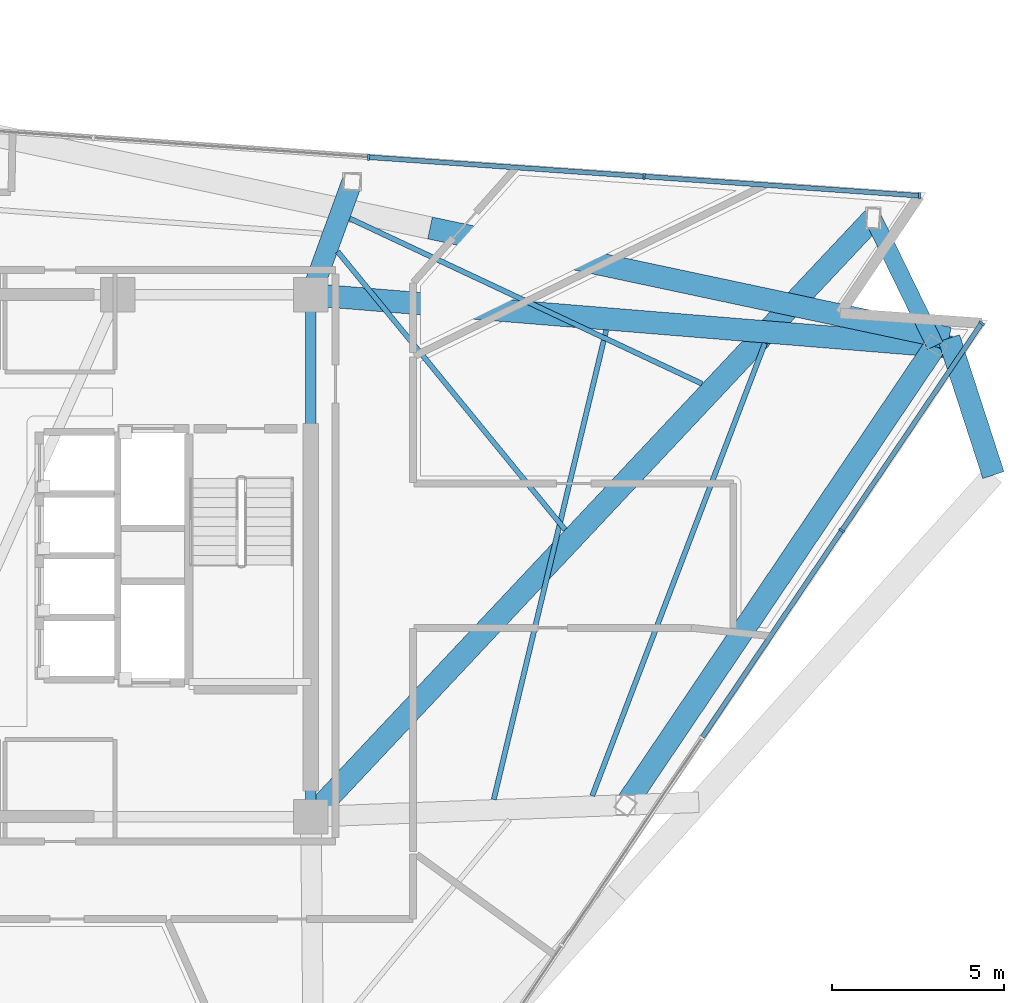
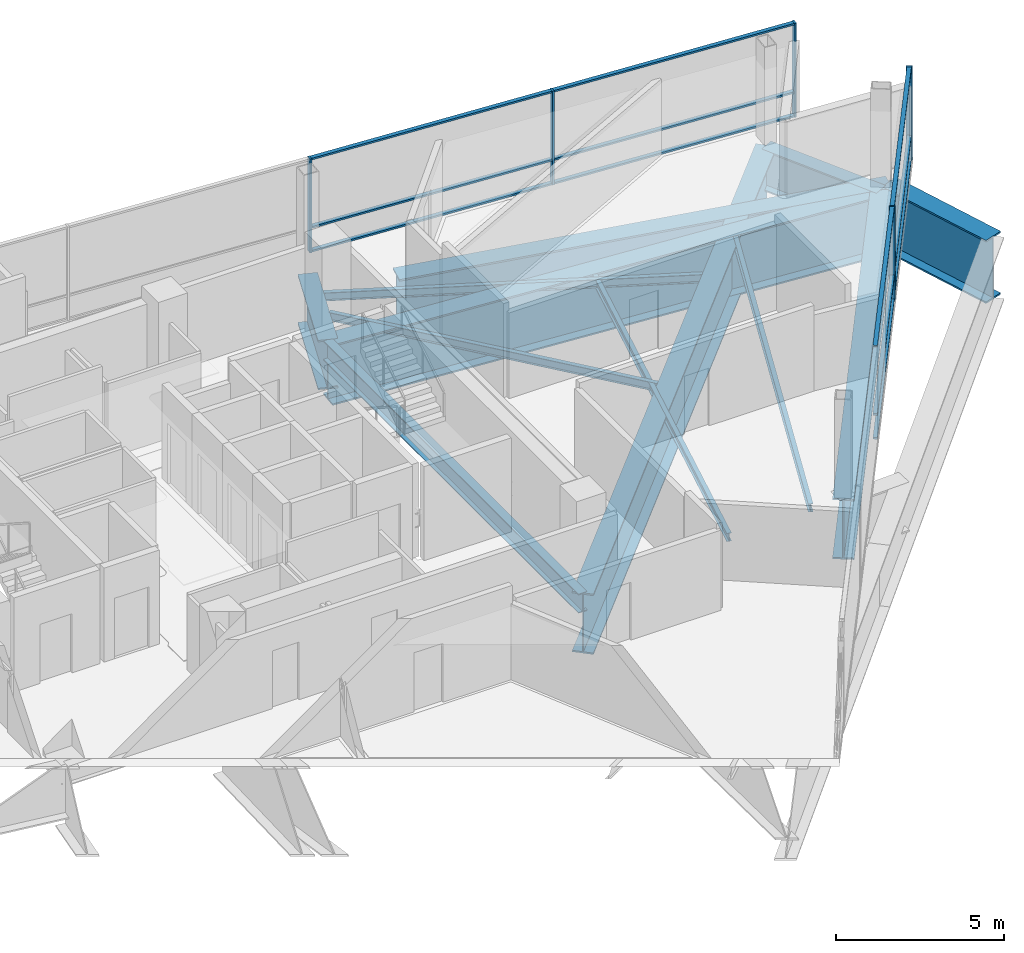
# One storey, part 7 of 14: 17 members, 12 beams, 2 elements without a shape of their own.
"""IFC4 building model written with IfcOpenShell, lengths in metres."""

from ifc_helpers import new_model, si_unit, direction, frame, origin, origin_2d, place, context, subcontext, project, spatial, rectangle, i_section, extrude, material, layer, layer_set, material_profile, profile_set, type_object, element, aggregate, save


model = new_model("IFC4")

# Units and contexts
model_context = context("Model", 3, precision=1e-05, world=origin(), true_north=direction((0.0, 1.0)))
body_context = subcontext(model_context, "Body", "Model", "MODEL_VIEW")
ifc_project = project(units=[si_unit("LENGTHUNIT", "METRE"), si_unit("AREAUNIT", "SQUARE_METRE"), si_unit("VOLUMEUNIT", "CUBIC_METRE"), si_unit("PLANEANGLEUNIT", "RADIAN"), si_unit("MASSUNIT", "GRAM", prefix="KILO")], contexts=[model_context])

# Site, building, storey
site_placement = place(None, origin())
site = spatial("IfcSite", under=ifc_project, at=site_placement, CompositionType="ELEMENT")
building_placement = place(site_placement, origin())
building = spatial("IfcBuilding", under=site, at=building_placement, Name="Tharavind Bronze Gate", CompositionType="ELEMENT")
storey_placement = place(building_placement, frame((0.0, 0.0, 227.050048828125)))
storey = spatial("IfcBuildingStorey", under=building, at=storey_placement, Name="L58", CompositionType="ELEMENT", Elevation=227.050048828125)

# Curtain wall, members
ifc_material_1 = material(Name="Anodised Bronze Aluminium", Category="aluminium")
ifc_layer = layer(ifc_material_1, 0.219970703125)
ifc_layer_set = layer_set([ifc_layer], Name="Anodised Bronze Aluminium")
curtain_wall_type = type_object("IfcCurtainWallType", Name="UNITISED CURTAIN WALL UPPER OFFICE", PredefinedType="USERDEFINED", material=ifc_layer_set)
curtain_wall_1_placement = place(storey_placement, origin())
curtain_wall_1 = element("IfcCurtainWall", 1, at=curtain_wall_1_placement, inside=storey, type_object=curtain_wall_type, Name="L58 unitised curtain wall upper office CW-L58-S2", ObjectType="UNITISED CURTAIN WALL", PredefinedType="USERDEFINED")
member_type_1 = type_object("IfcMemberType", Name="CURTAIN WALL BRONZE MULLION 65X180", PredefinedType="MULLION", material=ifc_material_1)
member_1_placement = place(storey_placement, frame((24.35791015625, 0.732177734375, 0.0), z_axis=(0.0, 0.0, 1.0), x_axis=(0.559192903471, 0.829037572555, 0.0)))
member_1 = element("IfcMember", 2, at=member_1_placement, type_object=member_type_1, Name="CW-L58-S2 mullion 7", PredefinedType="MULLION", context=body_context, shape_type="SweptSolid", body=[
    extrude(rectangle(XDim=0.06494140625, YDim=0.179931640625, at=origin_2d()), origin(), (0.0, 0.0, 1.0), 3.419921875),
])
member_2_placement = place(storey_placement, frame((28.430419921875, 6.77001953125, 0.0), z_axis=(0.0, 0.0, 1.0), x_axis=(0.559192903471, 0.829037572555, 0.0)))
member_2 = element("IfcMember", 3, at=member_2_placement, type_object=member_type_1, Name="CW-L58-S2 mullion 8", PredefinedType="MULLION", context=body_context, shape_type="SweptSolid", body=[
    extrude(rectangle(XDim=0.06494140625, YDim=0.179931640625, at=origin_2d()), origin(), (0.0, 0.0, 1.0), 3.419921875),
])

curtain_wall_2_placement = place(storey_placement, origin())
curtain_wall_2 = element("IfcCurtainWall", 4, at=curtain_wall_2_placement, inside=storey, type_object=curtain_wall_type, Name="L58 unitised curtain wall upper office CW-L58-S3", ObjectType="UNITISED CURTAIN WALL", PredefinedType="USERDEFINED")
member_3_placement = place(storey_placement, frame((26.620849609375, 10.480224609375, 0.0), z_axis=(0.0, 0.0, 1.0), x_axis=(-0.99756392851, 0.069758214822, 0.0)))
member_3 = element("IfcMember", 5, at=member_3_placement, type_object=member_type_1, Name="CW-L58-S3 mullion 1", PredefinedType="MULLION", context=body_context, shape_type="SweptSolid", body=[
    extrude(rectangle(XDim=0.06494140625, YDim=0.179931640625, at=origin_2d()), origin(), (0.0, 0.0, 1.0), 3.419921875),
])
member_4_placement = place(storey_placement, frame((18.602294921875, 11.041015625, 0.0), z_axis=(0.0, 0.0, 1.0), x_axis=(-0.99756392851, 0.069758214822, 0.0)))
member_4 = element("IfcMember", 6, at=member_4_placement, type_object=member_type_1, Name="CW-L58-S3 mullion 2", PredefinedType="MULLION", context=body_context, shape_type="SweptSolid", body=[
    extrude(rectangle(XDim=0.06494140625, YDim=0.179931640625, at=origin_2d()), origin(), (0.0, 0.0, 1.0), 3.419921875),
])
member_5_placement = place(storey_placement, frame((10.583984375, 11.6015625, 0.0), z_axis=(0.0, 0.0, 1.0), x_axis=(-0.99756392851, 0.069758214822, 0.0)))
member_5 = element("IfcMember", 7, at=member_5_placement, type_object=member_type_1, Name="CW-L58-S3 mullion 3", PredefinedType="MULLION", context=body_context, shape_type="SweptSolid", body=[
    extrude(rectangle(XDim=0.06494140625, YDim=0.179931640625, at=origin_2d()), origin(), (0.0, 0.0, 1.0), 3.419921875),
])

# Member
member_type_2 = type_object("IfcMemberType", Name="CURTAIN WALL BRONZE TRANSOM 65X140", PredefinedType="USERDEFINED", material=ifc_material_1)
member_6_placement = place(storey_placement, frame((22.321533203125, -2.28662109375, 0.0), z_axis=(0.0, 0.0, 1.0), x_axis=(0.559192903471, 0.829037572555, 0.0)))
member_6 = element("IfcMember", 8, at=member_6_placement, type_object=member_type_2, Name="CW-L58-S2 transom TB6", ObjectType="TRANSOM", PredefinedType="USERDEFINED", context=body_context, shape_type="SweptSolid", body=[
    extrude(rectangle(XDim=7.22998046875, YDim=0.139892578125, at=origin_2d()), origin(), (0.0, 0.0, 1.0), 0.06494140625),
])

member_7_placement = place(storey_placement, frame((22.321533203125, -2.28662109375, 0.867431640625), z_axis=(0.0, 0.0, 1.0), x_axis=(0.559192903471, 0.829037572555, 0.0)))
member_7 = element("IfcMember", 9, at=member_7_placement, type_object=member_type_2, Name="CW-L58-S2 transom TS6", ObjectType="TRANSOM", PredefinedType="USERDEFINED", context=body_context, shape_type="SweptSolid", body=[
    extrude(rectangle(XDim=7.22998046875, YDim=0.139892578125, at=origin_2d()), origin(), (0.0, 0.0, 1.0), 0.06494140625),
])

member_8_placement = place(storey_placement, frame((22.321533203125, -2.28662109375, 3.35498046875), z_axis=(0.0, 0.0, 1.0), x_axis=(0.559192903471, 0.829037572555, 0.0)))
member_8 = element("IfcMember", 10, at=member_8_placement, type_object=member_type_2, Name="CW-L58-S2 transom TT6", ObjectType="TRANSOM", PredefinedType="USERDEFINED", context=body_context, shape_type="SweptSolid", body=[
    extrude(rectangle(XDim=7.22998046875, YDim=0.139892578125, at=origin_2d()), origin(), (0.0, 0.0, 1.0), 0.06494140625),
])

member_9_placement = place(storey_placement, frame((26.39404296875, 3.751220703125, 0.0), z_axis=(0.0, 0.0, 1.0), x_axis=(0.559192903471, 0.829037572555, 0.0)))
member_9 = element("IfcMember", 11, at=member_9_placement, type_object=member_type_2, Name="CW-L58-S2 transom TB7", ObjectType="TRANSOM", PredefinedType="USERDEFINED", context=body_context, shape_type="SweptSolid", body=[
    extrude(rectangle(XDim=7.22998046875, YDim=0.139892578125, at=origin_2d()), origin(), (0.0, 0.0, 1.0), 0.06494140625),
])

member_10_placement = place(storey_placement, frame((26.39404296875, 3.751220703125, 0.867431640625), z_axis=(0.0, 0.0, 1.0), x_axis=(0.559192903471, 0.829037572555, 0.0)))
member_10 = element("IfcMember", 12, at=member_10_placement, type_object=member_type_2, Name="CW-L58-S2 transom TS7", ObjectType="TRANSOM", PredefinedType="USERDEFINED", context=body_context, shape_type="SweptSolid", body=[
    extrude(rectangle(XDim=7.22998046875, YDim=0.139892578125, at=origin_2d()), origin(), (0.0, 0.0, 1.0), 0.06494140625),
])

member_11_placement = place(storey_placement, frame((26.39404296875, 3.751220703125, 3.35498046875), z_axis=(0.0, 0.0, 1.0), x_axis=(0.559192903471, 0.829037572555, 0.0)))
member_11 = element("IfcMember", 13, at=member_11_placement, type_object=member_type_2, Name="CW-L58-S2 transom TT7", ObjectType="TRANSOM", PredefinedType="USERDEFINED", context=body_context, shape_type="SweptSolid", body=[
    extrude(rectangle(XDim=7.22998046875, YDim=0.139892578125, at=origin_2d()), origin(), (0.0, 0.0, 1.0), 0.06494140625),
])

aggregate(curtain_wall_1, [member_1, member_2, member_6, member_7, member_8, member_9, member_10, member_11])

member_12_placement = place(storey_placement, frame((22.611572265625, 10.760498046875, 0.0), z_axis=(0.0, 0.0, 1.0), x_axis=(-0.99756392851, 0.069758214822, 0.0)))
member_12 = element("IfcMember", 14, at=member_12_placement, type_object=member_type_2, Name="CW-L58-S3 transom TB1", ObjectType="TRANSOM", PredefinedType="USERDEFINED", context=body_context, shape_type="SweptSolid", body=[
    extrude(rectangle(XDim=7.985107421875, YDim=0.139892578125, at=origin_2d()), origin(), (0.0, 0.0, 1.0), 0.06494140625),
])

member_13_placement = place(storey_placement, frame((22.611572265625, 10.760498046875, 0.867431640625), z_axis=(0.0, 0.0, 1.0), x_axis=(-0.99756392851, 0.069758214822, 0.0)))
member_13 = element("IfcMember", 15, at=member_13_placement, type_object=member_type_2, Name="CW-L58-S3 transom TS1", ObjectType="TRANSOM", PredefinedType="USERDEFINED", context=body_context, shape_type="SweptSolid", body=[
    extrude(rectangle(XDim=7.985107421875, YDim=0.139892578125, at=origin_2d()), origin(), (0.0, 0.0, 1.0), 0.06494140625),
])

member_14_placement = place(storey_placement, frame((22.611572265625, 10.760498046875, 3.35498046875), z_axis=(0.0, 0.0, 1.0), x_axis=(-0.99756392851, 0.069758214822, 0.0)))
member_14 = element("IfcMember", 16, at=member_14_placement, type_object=member_type_2, Name="CW-L58-S3 transom TT1", ObjectType="TRANSOM", PredefinedType="USERDEFINED", context=body_context, shape_type="SweptSolid", body=[
    extrude(rectangle(XDim=7.985107421875, YDim=0.139892578125, at=origin_2d()), origin(), (0.0, 0.0, 1.0), 0.06494140625),
])

member_15_placement = place(storey_placement, frame((14.593017578125, 11.3212890625, 0.0), z_axis=(0.0, 0.0, 1.0), x_axis=(-0.99756392851, 0.069758214822, 0.0)))
member_15 = element("IfcMember", 17, at=member_15_placement, type_object=member_type_2, Name="CW-L58-S3 transom TB2", ObjectType="TRANSOM", PredefinedType="USERDEFINED", context=body_context, shape_type="SweptSolid", body=[
    extrude(rectangle(XDim=7.985107421875, YDim=0.139892578125, at=origin_2d()), origin(), (0.0, 0.0, 1.0), 0.06494140625),
])

member_16_placement = place(storey_placement, frame((14.593017578125, 11.3212890625, 0.867431640625), z_axis=(0.0, 0.0, 1.0), x_axis=(-0.99756392851, 0.069758214822, 0.0)))
member_16 = element("IfcMember", 18, at=member_16_placement, type_object=member_type_2, Name="CW-L58-S3 transom TS2", ObjectType="TRANSOM", PredefinedType="USERDEFINED", context=body_context, shape_type="SweptSolid", body=[
    extrude(rectangle(XDim=7.985107421875, YDim=0.139892578125, at=origin_2d()), origin(), (0.0, 0.0, 1.0), 0.06494140625),
])

member_17_placement = place(storey_placement, frame((14.593017578125, 11.3212890625, 3.35498046875), z_axis=(0.0, 0.0, 1.0), x_axis=(-0.99756392851, 0.069758214822, 0.0)))
member_17 = element("IfcMember", 19, at=member_17_placement, type_object=member_type_2, Name="CW-L58-S3 transom TT2", ObjectType="TRANSOM", PredefinedType="USERDEFINED", context=body_context, shape_type="SweptSolid", body=[
    extrude(rectangle(XDim=7.985107421875, YDim=0.139892578125, at=origin_2d()), origin(), (0.0, 0.0, 1.0), 0.06494140625),
])

aggregate(curtain_wall_2, [member_3, member_4, member_5, member_12, member_13, member_14, member_15, member_16, member_17])

# Beams
ifc_material_2 = material(Name="Steel S355", Category="steel")
ifc_material_profile_1 = material_profile(ifc_material_2, i_section(OverallWidth=0.300048828125, OverallDepth=0.699951171875, WebThickness=0.01708984375, FlangeThickness=0.031982421875, at=origin_2d()), Name="HE700B")
ifc_profile_set_1 = profile_set([ifc_material_profile_1], Name="Steel S355")
beam_type_1 = type_object("IfcBeamType", Name="RING GIRDER HE700B", PredefinedType="USERDEFINED", material=ifc_profile_set_1)
beam_1_placement = place(storey_placement, frame((8.89990234375, -7.60009765625, -0.5400390625), z_axis=(0.0, 1.0, 0.0), x_axis=(-1.0, 0.0, 0.0)))
element("IfcBeam", 20, at=beam_1_placement, inside=storey, type_object=beam_type_1, Name="L58 ring girder he700b BM-L58-CR3", ObjectType="GIRDER", PredefinedType="USERDEFINED", context=body_context, shape_type="SweptSolid", body=[
    extrude(i_section(OverallWidth=0.300048828125, OverallDepth=0.699951171875, WebThickness=0.01708984375, FlangeThickness=0.031982421875, at=origin_2d()), origin(), (0.0, 0.0, 1.0), 15.2001953125),
])
ifc_material_profile_2 = material_profile(ifc_material_2, i_section(OverallWidth=0.14990234375, OverallDepth=0.300048828125, WebThickness=0.007080078125, FlangeThickness=0.0107421875, at=origin_2d()), Name="IPE300")
ifc_profile_set_2 = profile_set([ifc_material_profile_2], Name="Steel S355")
beam_type_2 = type_object("IfcBeamType", Name="SECONDARY FLOOR JOIST IPE300", PredefinedType="JOIST", material=ifc_profile_set_2)
beam_2_placement = place(storey_placement, frame((14.226318359375, -7.096923828125, -0.340087890625), z_axis=(0.233018047482, 0.972472410687, 0.0), x_axis=(-0.972472410687, 0.233018047482, 0.0)))
element("IfcBeam", 21, at=beam_2_placement, inside=storey, type_object=beam_type_2, Name="L58 secondary floor joist ipe300 BM-L58-JSTA07", PredefinedType="JOIST", context=body_context, shape_type="SweptSolid", body=[
    extrude(i_section(OverallWidth=0.14990234375, OverallDepth=0.300048828125, WebThickness=0.007080078125, FlangeThickness=0.0107421875, at=origin_2d()), origin(), (0.0, 0.0, 1.0), 14.050048828125),
])
beam_3_placement = place(storey_placement, frame((17.094482421875, -6.989990234375, -0.340087890625), z_axis=(0.356396937276, 0.934334641925, 0.0), x_axis=(-0.934334641925, 0.356396937276, 0.0)))
element("IfcBeam", 22, at=beam_3_placement, inside=storey, type_object=beam_type_2, Name="L58 secondary floor joist ipe300 BM-L58-JSTB07", PredefinedType="JOIST", context=body_context, shape_type="SweptSolid", body=[
    extrude(i_section(OverallWidth=0.14990234375, OverallDepth=0.300048828125, WebThickness=0.007080078125, FlangeThickness=0.0107421875, at=origin_2d()), origin(), (0.0, 0.0, 1.0), 14.104736328125),
])
beam_4_placement = place(storey_placement, frame((16.30322265625, 0.75830078125, -0.340087890625), z_axis=(-0.633141179851, 0.774036334016, 0.0), x_axis=(-0.774036334016, -0.633141179851, 0.0)))
element("IfcBeam", 23, at=beam_4_placement, inside=storey, type_object=beam_type_2, Name="L58 secondary floor joist ipe300 BM-L58-JSTA09", PredefinedType="JOIST", context=body_context, shape_type="SweptSolid", body=[
    extrude(i_section(OverallWidth=0.14990234375, OverallDepth=0.300048828125, WebThickness=0.007080078125, FlangeThickness=0.0107421875, at=origin_2d()), origin(), (0.0, 0.0, 1.0), 10.458984375),
])
beam_5_placement = place(storey_placement, frame((20.293212890625, 5.004150390625, -0.340087890625), z_axis=(-0.905291728535, 0.424790402724, 0.0), x_axis=(-0.424790402724, -0.905291728535, 0.0)))
element("IfcBeam", 24, at=beam_5_placement, inside=storey, type_object=beam_type_2, Name="L58 secondary floor joist ipe300 BM-L58-JSTB09", PredefinedType="JOIST", context=body_context, shape_type="SweptSolid", body=[
    extrude(i_section(OverallWidth=0.14990234375, OverallDepth=0.300048828125, WebThickness=0.007080078125, FlangeThickness=0.0107421875, at=origin_2d()), origin(), (0.0, 0.0, 1.0), 11.33251953125),
])
ifc_material_3 = material(Name="Steel S460", Category="steel")
ifc_material_profile_3 = material_profile(ifc_material_3, i_section(OverallWidth=0.5, OverallDepth=1.5, WebThickness=0.028076171875, FlangeThickness=0.050048828125, at=origin_2d()), Name="PG1500X500")
ifc_profile_set_3 = profile_set([ifc_material_profile_3], Name="Steel S460")
beam_type_3 = type_object("IfcBeamType", Name="TRANSFER GIRDER 1500X500", PredefinedType="USERDEFINED", material=ifc_profile_set_3)
beam_6_placement = place(storey_placement, frame((27.082275390625, 6.112548828125, -0.93994140625), z_axis=(-0.438367699713, 0.898795727542, 0.0), x_axis=(-0.898795727542, -0.438367699713, 0.0)))
element("IfcBeam", 25, at=beam_6_placement, inside=storey, type_object=beam_type_3, Name="L58 transfer girder 1500x500 BM-L58-URG08", ObjectType="TRANSFER GIRDER", PredefinedType="USERDEFINED", context=body_context, shape_type="SweptSolid", body=[
    extrude(i_section(OverallWidth=0.5, OverallDepth=1.5, WebThickness=0.028076171875, FlangeThickness=0.050048828125, at=origin_2d()), origin(), (0.0, 0.0, 1.0), 4.1279296875),
])
ifc_material_profile_4 = material_profile(ifc_material_3, i_section(OverallWidth=0.60009765625, OverallDepth=1.800048828125, WebThickness=0.031982421875, FlangeThickness=0.054931640625, at=origin_2d()), Name="PG1800X600")
ifc_profile_set_4 = profile_set([ifc_material_profile_4], Name="Steel S460")
beam_type_4 = type_object("IfcBeamType", Name="TRANSFER GIRDER 1800X600", PredefinedType="USERDEFINED", material=ifc_profile_set_4)
beam_7_placement = place(storey_placement, frame((8.89990234375, 7.60009765625, -1.090087890625), z_axis=(0.343166887309, 0.939274447355, 0.0), x_axis=(-0.939274447355, 0.343166887309, 0.0)))
element("IfcBeam", 26, at=beam_7_placement, inside=storey, type_object=beam_type_4, Name="L58 transfer girder 1800x600 BM-L58-XFR10", ObjectType="TRANSFER GIRDER", PredefinedType="USERDEFINED", context=body_context, shape_type="SweptSolid", body=[
    extrude(i_section(OverallWidth=0.60009765625, OverallDepth=1.800048828125, WebThickness=0.031982421875, FlangeThickness=0.054931640625, at=origin_2d()), origin(), (0.0, 0.0, 1.0), 3.49609375),
])
ifc_material_profile_5 = material_profile(ifc_material_3, i_section(OverallWidth=0.64990234375, OverallDepth=2.199951171875, WebThickness=0.035888671875, FlangeThickness=0.054931640625, at=origin_2d()), Name="PG2200X650")
ifc_profile_set_5 = profile_set([ifc_material_profile_5], Name="Steel S460")
beam_type_5 = type_object("IfcBeamType", Name="TRANSFER GIRDER 2200X650", PredefinedType="USERDEFINED", material=ifc_profile_set_5)
beam_8_placement = place(storey_placement, frame((18.06396484375, -7.2578125, -1.2900390625), z_axis=(0.559188128577, 0.829040793241, 0.0), x_axis=(-0.829040793241, 0.559188128577, 0.0)))
element("IfcBeam", 27, at=beam_8_placement, inside=storey, type_object=beam_type_5, Name="L58 transfer girder 2200x650 BM-L58-URG07", ObjectType="TRANSFER GIRDER", PredefinedType="USERDEFINED", context=body_context, shape_type="SweptSolid", body=[
    extrude(i_section(OverallWidth=0.64990234375, OverallDepth=2.199951171875, WebThickness=0.035888671875, FlangeThickness=0.054931640625, at=origin_2d()), origin(), (0.0, 0.0, 1.0), 16.12744140625),
])
beam_9_placement = place(storey_placement, frame((8.89990234375, 7.60009765625, -1.2900390625), z_axis=(0.996669796725, -0.081543339988, 0.0), x_axis=(0.081543339988, 0.996669796725, 0.0)))
element("IfcBeam", 28, at=beam_9_placement, inside=storey, type_object=beam_type_5, Name="L58 transfer girder 2200x650 BM-L58-XFR08", ObjectType="TRANSFER GIRDER", PredefinedType="USERDEFINED", context=body_context, shape_type="SweptSolid", body=[
    extrude(i_section(OverallWidth=0.64990234375, OverallDepth=2.199951171875, WebThickness=0.035888671875, FlangeThickness=0.054931640625, at=origin_2d()), origin(), (0.0, 0.0, 1.0), 18.724365234375),
])
beam_10_placement = place(storey_placement, frame((8.89990234375, -7.60009765625, -1.2900390625), z_axis=(0.684806131485, 0.728725299603, 0.0), x_axis=(-0.728725299603, 0.684806131485, 0.0)))
element("IfcBeam", 29, at=beam_10_placement, inside=storey, type_object=beam_type_5, Name="L58 transfer girder 2200x650 BM-L58-XFR09", ObjectType="TRANSFER GIRDER", PredefinedType="USERDEFINED", context=body_context, shape_type="SweptSolid", body=[
    extrude(i_section(OverallWidth=0.64990234375, OverallDepth=2.199951171875, WebThickness=0.035888671875, FlangeThickness=0.054931640625, at=origin_2d()), origin(), (0.0, 0.0, 1.0), 23.90869140625),
])
ifc_material_profile_6 = material_profile(ifc_material_3, i_section(OverallWidth=0.64990234375, OverallDepth=2.300048828125, WebThickness=0.035888671875, FlangeThickness=0.05810546875, at=origin_2d()), Name="PG2300X650")
ifc_profile_set_6 = profile_set([ifc_material_profile_6], Name="Steel S460")
beam_type_6 = type_object("IfcBeamType", Name="TRANSFER GIRDER 2300X650", PredefinedType="USERDEFINED", material=ifc_profile_set_6)
beam_11_placement = place(storey_placement, frame((28.772705078125, 2.34716796875, -1.340087890625), z_axis=(-0.309030708092, 0.951052060329, 0.0), x_axis=(-0.951052060329, -0.309030708092, 0.0)))
element("IfcBeam", 30, at=beam_11_placement, inside=storey, type_object=beam_type_6, Name="L58 transfer girder 2300x650 BM-L58-LRG08", ObjectType="TRANSFER GIRDER", PredefinedType="USERDEFINED", context=body_context, shape_type="SweptSolid", body=[
    extrude(i_section(OverallWidth=0.64990234375, OverallDepth=2.300048828125, WebThickness=0.035888671875, FlangeThickness=0.05810546875, at=origin_2d()), origin(), (0.0, 0.0, 1.0), 4.18798828125),
])
beam_12_placement = place(storey_placement, frame((27.478515625, 6.330078125, -1.340087890625), z_axis=(-0.978145069448, 0.207923599223, 0.0), x_axis=(-0.207923599223, -0.978145069448, 0.0)))
element("IfcBeam", 31, at=beam_12_placement, inside=storey, type_object=beam_type_6, Name="L58 transfer girder 2300x650 BM-L58-LRG09", ObjectType="TRANSFER GIRDER", PredefinedType="USERDEFINED", context=body_context, shape_type="SweptSolid", body=[
    extrude(i_section(OverallWidth=0.64990234375, OverallDepth=2.300048828125, WebThickness=0.035888671875, FlangeThickness=0.05810546875, at=origin_2d()), origin(), (0.0, 0.0, 1.0), 15.4453125),
])

save(model, "model.ifc")
